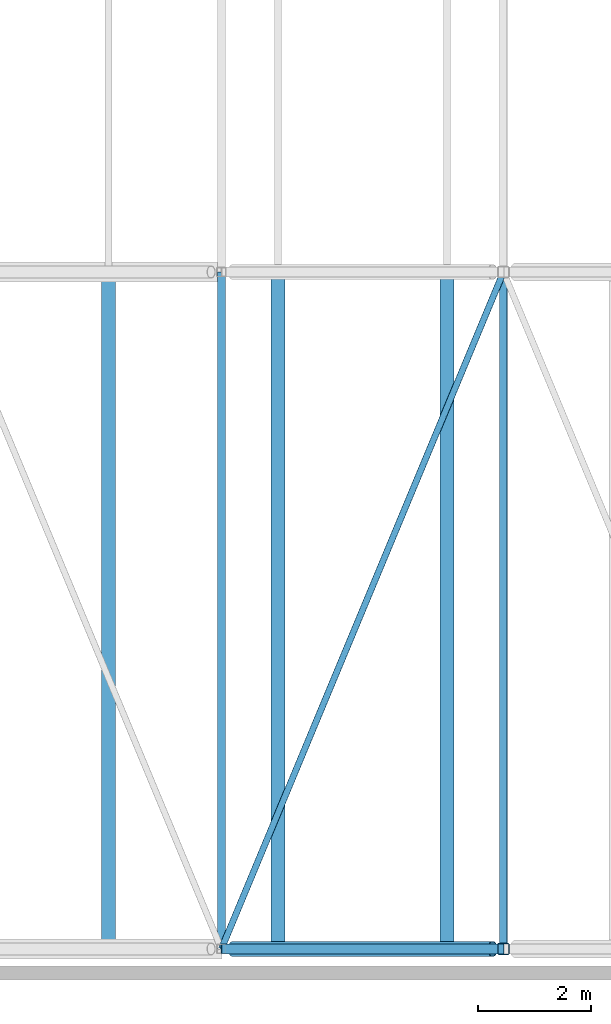
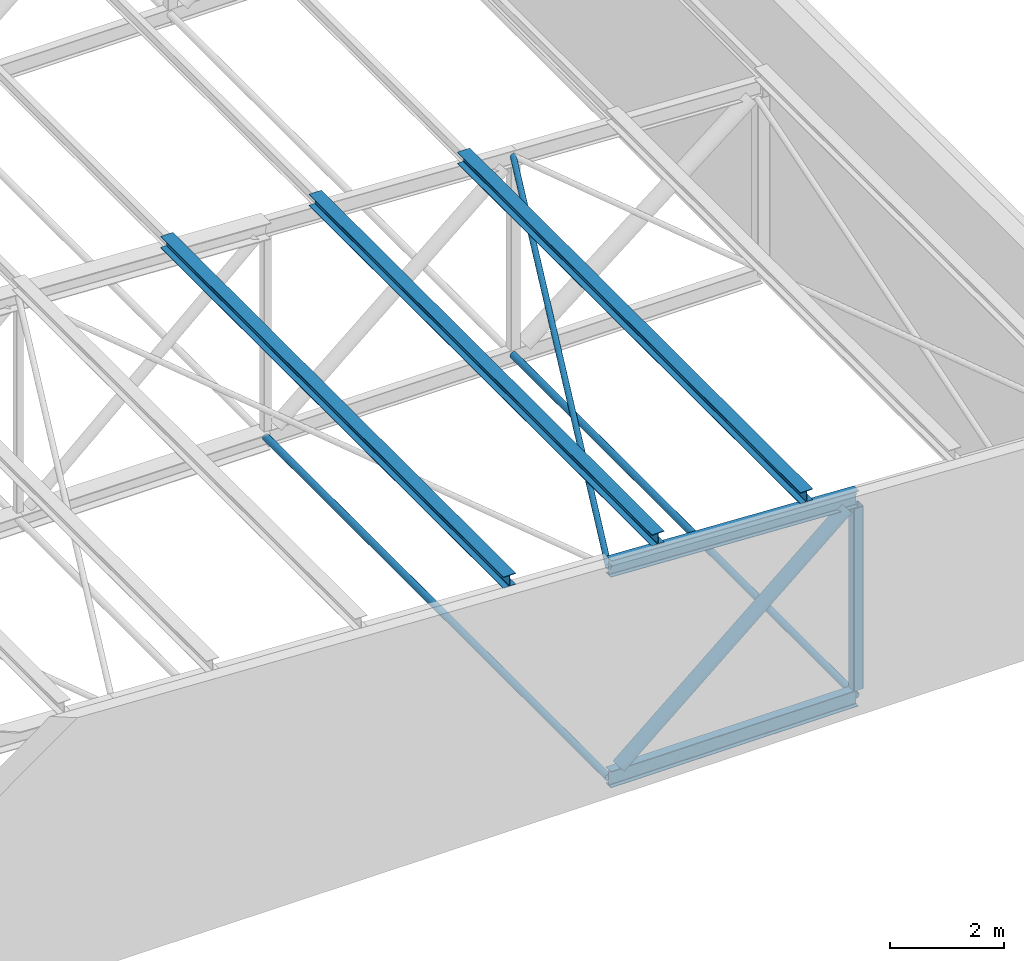
# One storey, part 39 of 156: 10 members.
"""IFC4 building model written with IfcOpenShell, lengths in metres."""

from ifc_helpers import new_model, si_unit, direction, frame, origin, origin_2d, place, context, subcontext, project, spatial, hollow_rectangle, hollow_circle, i_section, extrude, material, material_profile, profile_set, type_object, element, save


model = new_model("IFC4")

# Units and contexts
model_context = context("Model", 3, precision=1e-05, world=origin(), true_north=direction((0.0, 1.0)))
body_context = subcontext(model_context, "Body", "Model", "MODEL_VIEW")
ifc_project = project(units=[si_unit("LENGTHUNIT", "METRE"), si_unit("AREAUNIT", "SQUARE_METRE"), si_unit("VOLUMEUNIT", "CUBIC_METRE"), si_unit("PLANEANGLEUNIT", "RADIAN"), si_unit("MASSUNIT", "GRAM", prefix="KILO")], contexts=[model_context])

# Site, building, storey
site_placement = place(None, origin())
site = spatial("IfcSite", under=ifc_project, at=site_placement, CompositionType="ELEMENT")
building_placement = place(site_placement, origin())
building = spatial("IfcBuilding", under=site, at=building_placement, Name="Lilac Gate Convention Centre", CompositionType="ELEMENT")
storey_placement = place(building_placement, frame((0.0, 0.0, 17.0)))
storey = spatial("IfcBuildingStorey", under=building, at=storey_placement, Name="L03", CompositionType="ELEMENT", Elevation=17.0)

# Members
ifc_material = material(Name="Steel Q355B", Category="steel")
ifc_material_profile_1 = material_profile(ifc_material, hollow_circle(Radius=0.06982421875, WallThickness=0.0048828125, at=origin_2d()), Name="CHS139.7x5")
ifc_profile_set_1 = profile_set([ifc_material_profile_1], Name="Steel Q355B")
member_type_1 = type_object("IfcMemberType", Name="Bottom chord tie CHS139.7x5", PredefinedType="STRUT", material=ifc_profile_set_1)
for number, where, z_axis, x_axis, name in (
    (1, (80.0, 30.00341796875, 0.0), (0.0, 1.0, 0.0), (-1.0, 0.0, 0.0), "ST1 tie bay 1 node 11"),
    (2, (85.0, 30.00341796875, 0.0), (0.0, 1.0, 0.0), (-1.0, 0.0, 0.0), "ST1 tie bay 1 node 12"),
):
    element("IfcMember", number, at=place(storey_placement, frame(where, z_axis=z_axis, x_axis=x_axis)), inside=storey, type_object=member_type_1, Name=name, PredefinedType="STRUT", context=body_context, shape_type="SweptSolid", body=[
        extrude(hollow_circle(Radius=0.06982421875, WallThickness=0.0048828125, at=origin_2d()), origin(), (0.0, 0.0, 1.0), 11.9931640625),
    ])
ifc_material_profile_2 = material_profile(ifc_material, hollow_circle(Radius=0.05712890625, WallThickness=0.0048828125, at=origin_2d()), Name="CHS114.3x5")
ifc_profile_set_2 = profile_set([ifc_material_profile_2], Name="Steel Q355B")
member_type_2 = type_object("IfcMemberType", Name="Roof plane bracing CHS114.3x5", PredefinedType="BRACE", material=ifc_profile_set_2)
member_1_placement = place(storey_placement, frame((80.00146484375, 30.00341796875, 4.5), z_axis=(0.384538867181, 0.922908311091, -0.019238215751), x_axis=(-0.923079146825, 0.384610047578, 0.0)))
element("IfcMember", 3, at=member_1_placement, inside=storey, type_object=member_type_2, Name="BR1 plan bracing bay 1 panel 11", PredefinedType="BRACE", context=body_context, shape_type="SweptSolid", body=[
    extrude(hollow_circle(Radius=0.05712890625, WallThickness=0.0048828125, at=origin_2d()), origin(), (0.0, 0.0, 1.0), 12.994873046875),
])
ifc_material_profile_3 = material_profile(ifc_material, i_section(OverallWidth=0.25, OverallDepth=0.25, WebThickness=0.009033203125, FlangeThickness=0.013916015625, FilletRadius=0.012939453125, at=origin_2d()), Name="HW250x250x9x14")
ifc_profile_set_3 = profile_set([ifc_material_profile_3], Name="Steel Q355B")
member_type_3 = type_object("IfcMemberType", Name="Roof purlin HW250x250x9x14", PredefinedType="PURLIN", material=ifc_profile_set_3)
for number, where, z_axis, x_axis, name in (
    (4, (78.0, 30.0, 4.900146484375), (0.0, 1.0, 0.0), (-1.0, 0.0, 0.0), "PU1 purlin bay 1 line 17"),
    (5, (81.0, 30.0, 4.750244140625), (0.0, 1.0, 0.0), (-1.0, 0.0, 0.0), "PU1 purlin bay 1 line 18"),
    (6, (84.0, 30.0, 4.60009765625), (0.0, 1.0, 0.0), (-1.0, 0.0, 0.0), "PU1 purlin bay 1 line 19"),
):
    element("IfcMember", number, at=place(storey_placement, frame(where, z_axis=z_axis, x_axis=x_axis)), inside=storey, type_object=member_type_3, Name=name, PredefinedType="PURLIN", context=body_context, shape_type="SweptSolid", body=[
        extrude(i_section(OverallWidth=0.25, OverallDepth=0.25, WebThickness=0.009033203125, FlangeThickness=0.013916015625, FilletRadius=0.012939453125, at=origin_2d()), origin(), (0.0, 0.0, 1.0), 12.0),
    ])
ifc_material_profile_4 = material_profile(ifc_material, i_section(OverallWidth=0.175048828125, OverallDepth=0.35009765625, WebThickness=0.007080078125, FlangeThickness=0.010986328125, FilletRadius=0.012939453125, at=origin_2d()), Name="HN350x175x7x11")
ifc_profile_set_4 = profile_set([ifc_material_profile_4], Name="Steel Q355B")
member_type_4 = type_object("IfcMemberType", Name="Truss bottom chord HN350x175x7x11", PredefinedType="CHORD", material=ifc_profile_set_4)
member_2_placement = place(storey_placement, frame((80.0, 30.0, 0.0), z_axis=(1.0, 0.0, 0.0), x_axis=(0.0, 1.0, 0.0)))
element("IfcMember", 7, at=member_2_placement, inside=storey, type_object=member_type_4, Name="TB1 truss 1 bottom chord 11", PredefinedType="CHORD", context=body_context, shape_type="SweptSolid", body=[
    extrude(i_section(OverallWidth=0.175048828125, OverallDepth=0.35009765625, WebThickness=0.007080078125, FlangeThickness=0.010986328125, FilletRadius=0.012939453125, at=origin_2d()), origin(), (0.0, 0.0, 1.0), 5.0),
])
ifc_material_profile_5 = material_profile(ifc_material, hollow_circle(Radius=0.136474609375, WallThickness=0.010009765625, at=origin_2d()), Name="CHS273x10")
ifc_profile_set_5 = profile_set([ifc_material_profile_5], Name="Steel Q355B")
member_type_5 = type_object("IfcMemberType", Name="Truss diagonal CHS273x10", PredefinedType="BRACE", material=ifc_profile_set_5)
member_3_placement = place(storey_placement, frame((84.806884765625, 30.0, 4.085693359375), z_axis=(-0.761961263863, 0.0, -0.647622600263), x_axis=(0.0, -1.0, 0.0)))
element("IfcMember", 8, at=member_3_placement, inside=storey, type_object=member_type_5, Name="TW2 truss 1 diagonal 11", PredefinedType="BRACE", context=body_context, shape_type="SweptSolid", body=[
    extrude(hollow_circle(Radius=0.136474609375, WallThickness=0.010009765625, at=origin_2d()), origin(), (0.0, 0.0, 1.0), 6.03857421875),
])
ifc_material_profile_6 = material_profile(ifc_material, i_section(OverallWidth=0.175048828125, OverallDepth=0.35009765625, WebThickness=0.007080078125, FlangeThickness=0.010986328125, FilletRadius=0.012939453125, at=origin_2d()), Name="HN350x175x7x11")
ifc_profile_set_6 = profile_set([ifc_material_profile_6], Name="Steel Q355B")
member_type_6 = type_object("IfcMemberType", Name="Truss top chord HN350x175x7x11", PredefinedType="CHORD", material=ifc_profile_set_6)
member_4_placement = place(storey_placement, frame((80.0, 30.0, 4.5), z_axis=(0.998752338878, 0.0, -0.049937616944), x_axis=(0.0, 1.0, 0.0)))
element("IfcMember", 9, at=member_4_placement, inside=storey, type_object=member_type_6, Name="TT1 truss 1 top chord 11", PredefinedType="CHORD", context=body_context, shape_type="SweptSolid", body=[
    extrude(i_section(OverallWidth=0.175048828125, OverallDepth=0.35009765625, WebThickness=0.007080078125, FlangeThickness=0.010986328125, FilletRadius=0.012939453125, at=origin_2d()), origin(), (0.0, 0.0, 1.0), 5.00634765625),
])
ifc_material_profile_7 = material_profile(ifc_material, hollow_rectangle(XDim=0.199951171875, YDim=0.199951171875, WallThickness=0.008056640625, InnerFilletRadius=0.011962890625, OuterFilletRadius=0.02001953125, at=origin_2d()), Name="SHS200x200x8")
ifc_profile_set_7 = profile_set([ifc_material_profile_7], Name="Steel Q355B")
member_type_7 = type_object("IfcMemberType", Name="Truss vertical SHS200x200x8", PredefinedType="STRUT", material=ifc_profile_set_7)
member_5_placement = place(storey_placement, frame((85.0, 30.0, 0.175048828125), z_axis=(0.0, 0.0, 1.0), x_axis=(1.0, 0.0, 0.0)))
element("IfcMember", 10, at=member_5_placement, inside=storey, type_object=member_type_7, Name="TV2 truss 1 vertical 12", PredefinedType="STRUT", context=body_context, shape_type="SweptSolid", body=[
    extrude(hollow_rectangle(XDim=0.199951171875, YDim=0.199951171875, WallThickness=0.008056640625, InnerFilletRadius=0.011962890625, OuterFilletRadius=0.02001953125, at=origin_2d()), origin(), (0.0, 0.0, 1.0), 3.899658203125),
])

save(model, "model.ifc")
